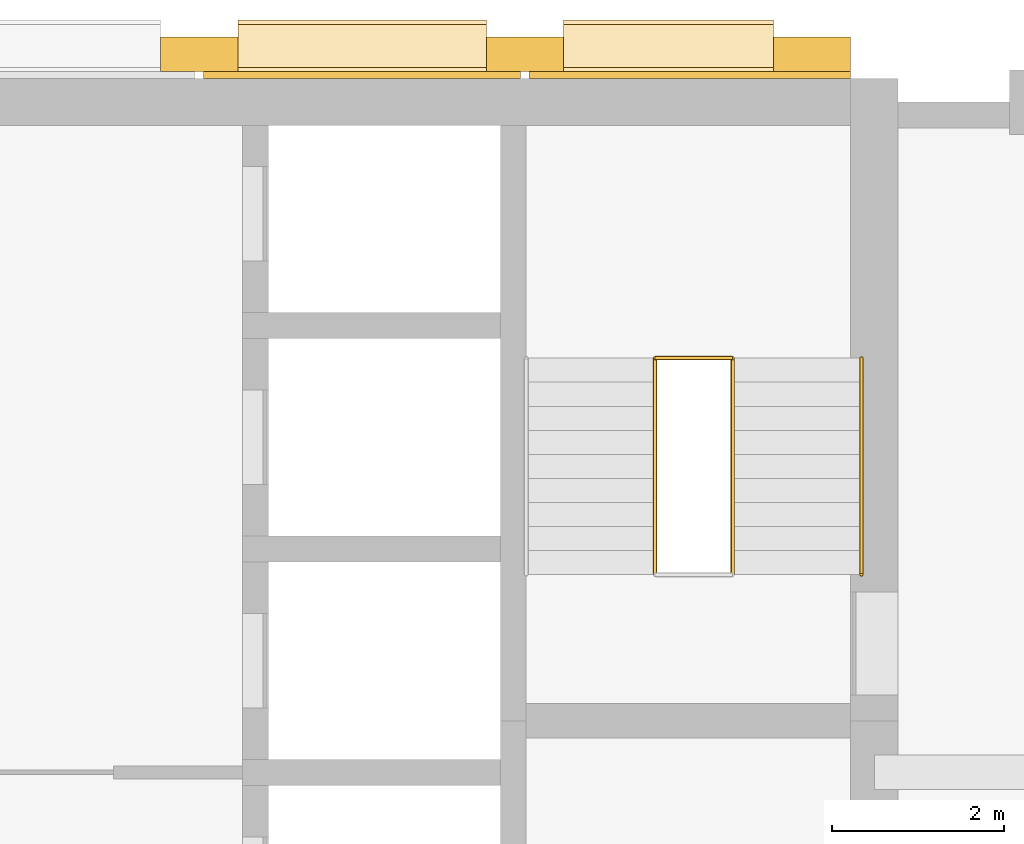
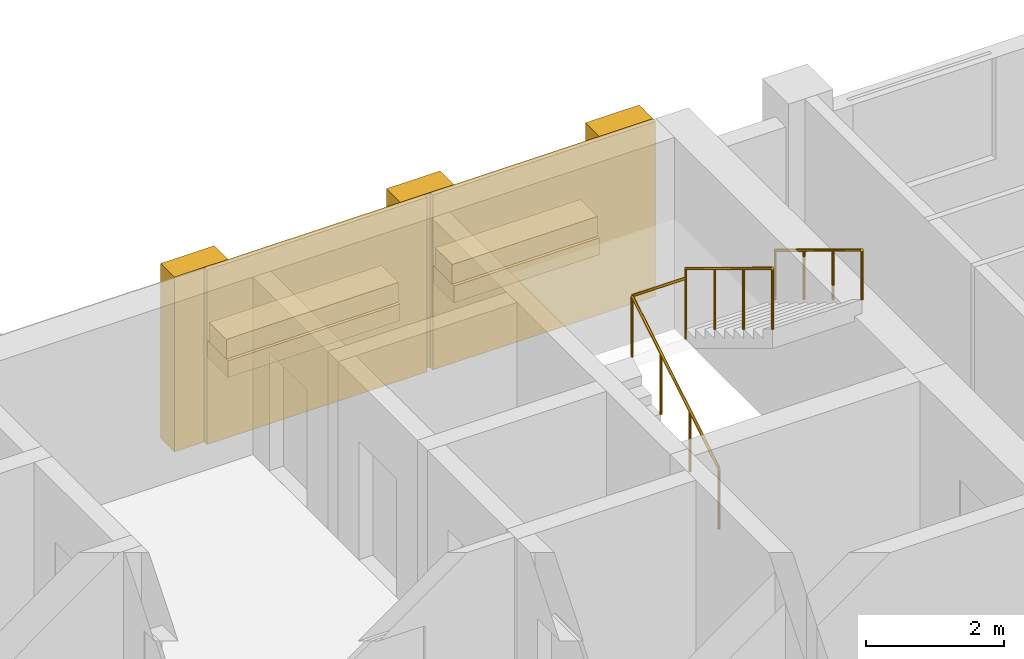
# One storey, part 13 of 13: 9 coverings, 4 railings, 1 element without a shape of its own.
"""IFC4 building model written with IfcOpenShell, lengths in metres."""

from ifc_helpers import new_model, si_unit, direction, frame, origin, origin_2d, place, context, subcontext, project, spatial, rectangle, circle, extrude, material, layer, layer_set, type_object, element, aggregate, save


model = new_model("IFC4")

# Units and contexts
model_context = context("Model", 3, precision=1e-05, world=origin(), true_north=direction((0.0, 1.0)))
body_context = subcontext(model_context, "Body", "Model", "MODEL_VIEW")
ifc_project = project(units=[si_unit("LENGTHUNIT", "METRE"), si_unit("AREAUNIT", "SQUARE_METRE"), si_unit("VOLUMEUNIT", "CUBIC_METRE"), si_unit("PLANEANGLEUNIT", "RADIAN"), si_unit("MASSUNIT", "GRAM", prefix="KILO")], contexts=[model_context])

# Site, building, storey
site_placement = place(None, origin())
site = spatial("IfcSite", under=ifc_project, at=site_placement, CompositionType="ELEMENT")
building_placement = place(site_placement, origin())
building = spatial("IfcBuilding", under=site, at=building_placement, Name="Ludao Terraces", CompositionType="ELEMENT")
storey_placement = place(building_placement, frame((0.0, 0.0, 152.0)))
storey = spatial("IfcBuildingStorey", under=building, at=storey_placement, Name="L41", CompositionType="ELEMENT", Elevation=152.0)

# Coverings
ifc_material_1 = material(Name="Granite cladding", Category="masonry")
ifc_layer_1 = layer(ifc_material_1, 0.39990234375)
ifc_layer_set_1 = layer_set([ifc_layer_1], Name="ENV Core pilaster stone 400")
covering_type_1 = type_object("IfcCoveringType", Name="ENV Core pilaster stone 400", PredefinedType="CLADDING", material=ifc_layer_set_1)
for number, where, z_axis, x_axis, name in (
    (1, (86.89501953125, 85.054931640625, 0.0), (0.0, 0.0, 1.0), (1.0, 0.0, 0.0), "CC-L41-PIL4"),
    (2, (90.68505859375, 85.054931640625, 0.0), (0.0, 0.0, 1.0), (1.0, 0.0, 0.0), "CC-L41-PIL5"),
    (3, (94.02490234375, 85.054931640625, 0.0), (0.0, 0.0, 1.0), (1.0, 0.0, 0.0), "CC-L41-PIL6"),
):
    element("IfcCovering", number, at=place(storey_placement, frame(where, z_axis=z_axis, x_axis=x_axis)), inside=storey, type_object=covering_type_1, Name=name, PredefinedType="CLADDING", context=body_context, shape_type="SweptSolid", body=[
        extrude(rectangle(XDim=0.89990234375, YDim=0.39990234375, at=origin_2d()), origin(), (0.0, 0.0, 1.0), 3.10009765625),
    ])
ifc_layer_2 = layer(ifc_material_1, 0.60009765625)
ifc_layer_set_2 = layer_set([ifc_layer_2], Name="ENV Core planting shelf stone 600")
covering_type_2 = type_object("IfcCoveringType", Name="ENV Core planting shelf stone 600", PredefinedType="CLADDING", material=ifc_layer_set_2)
covering_1_placement = place(storey_placement, frame((88.7900390625, 85.155029296875, 1.0), z_axis=(0.0, 0.0, 1.0), x_axis=(1.0, 0.0, 0.0)))
element("IfcCovering", 4, at=covering_1_placement, inside=storey, type_object=covering_type_2, Name="CC-L41-SHELF4", PredefinedType="CLADDING", context=body_context, shape_type="SweptSolid", body=[
    extrude(rectangle(XDim=2.889892578125, YDim=0.60009765625, at=origin_2d()), origin(), (0.0, 0.0, 1.0), 0.300048828125),
])
covering_2_placement = place(storey_placement, frame((92.35498046875, 85.155029296875, 1.0), z_axis=(0.0, 0.0, 1.0), x_axis=(1.0, 0.0, 0.0)))
element("IfcCovering", 5, at=covering_2_placement, inside=storey, type_object=covering_type_2, Name="CC-L41-SHELF5", PredefinedType="CLADDING", context=body_context, shape_type="SweptSolid", body=[
    extrude(rectangle(XDim=2.43994140625, YDim=0.60009765625, at=origin_2d()), origin(), (0.0, 0.0, 1.0), 0.300048828125),
])
ifc_layer_3 = layer(ifc_material_1, 0.080078125)
ifc_layer_set_3 = layer_set([ifc_layer_3], Name="ENV Core stone cladding panel 80")
covering_type_3 = type_object("IfcCoveringType", Name="ENV Core stone cladding panel 80", PredefinedType="CLADDING", material=ifc_layer_set_3)
covering_3_placement = place(storey_placement, frame((88.7900390625, 84.81494140625, 0.0), z_axis=(0.0, 0.0, 1.0), x_axis=(1.0, 0.0, 0.0)))
element("IfcCovering", 6, at=covering_3_placement, inside=storey, type_object=covering_type_3, Name="CC-L41-CORE4", PredefinedType="CLADDING", context=body_context, shape_type="SweptSolid", body=[
    extrude(rectangle(XDim=3.68994140625, YDim=0.080078125, at=origin_2d()), origin(), (0.0, 0.0, 1.0), 3.10009765625),
])
covering_4_placement = place(storey_placement, frame((92.60498046875, 84.81494140625, 0.0), z_axis=(0.0, 0.0, 1.0), x_axis=(1.0, 0.0, 0.0)))
element("IfcCovering", 7, at=covering_4_placement, inside=storey, type_object=covering_type_3, Name="CC-L41-CORE5", PredefinedType="CLADDING", context=body_context, shape_type="SweptSolid", body=[
    extrude(rectangle(XDim=3.739990234375, YDim=0.080078125, at=origin_2d()), origin(), (0.0, 0.0, 1.0), 3.10009765625),
])
ifc_material_2 = material(Name="Planting")
ifc_layer_4 = layer(ifc_material_2, 0.5)
ifc_layer_set_4 = layer_set([ifc_layer_4], Name="ENV Shelf planting bed 350")
covering_type_4 = type_object("IfcCoveringType", Name="ENV Shelf planting bed 350", PredefinedType="USERDEFINED", material=ifc_layer_set_4)
covering_5_placement = place(storey_placement, frame((88.7900390625, 85.155029296875, 1.300048828125), z_axis=(0.0, 0.0, 1.0), x_axis=(1.0, 0.0, 0.0)))
element("IfcCovering", 8, at=covering_5_placement, inside=storey, type_object=covering_type_4, Name="Shelf planting bed L41 4", ObjectType="PLANTING", PredefinedType="USERDEFINED", context=body_context, shape_type="SweptSolid", body=[
    extrude(rectangle(XDim=2.889892578125, YDim=0.5, at=origin_2d()), origin(), (0.0, 0.0, 1.0), 0.35009765625),
])
covering_6_placement = place(storey_placement, frame((92.35498046875, 85.155029296875, 1.300048828125), z_axis=(0.0, 0.0, 1.0), x_axis=(1.0, 0.0, 0.0)))
element("IfcCovering", 9, at=covering_6_placement, inside=storey, type_object=covering_type_4, Name="Shelf planting bed L41 5", ObjectType="PLANTING", PredefinedType="USERDEFINED", context=body_context, shape_type="SweptSolid", body=[
    extrude(rectangle(XDim=2.43994140625, YDim=0.5, at=origin_2d()), origin(), (0.0, 0.0, 1.0), 0.35009765625),
])

# Stair, railings
ifc_material_3 = material(Name="Concrete C40", Category="concrete")
stair_type = type_object("IfcStairType", Name="INT Stair", PredefinedType="HALF_TURN_STAIR", material=ifc_material_3)
stair_placement = place(storey_placement, origin())
stair = element("IfcStair", 10, at=stair_placement, inside=storey, type_object=stair_type, Name="EXIT STAIR 2", PredefinedType="HALF_TURN_STAIR")
ifc_material_4 = material(Name="Stainless steel 304", Category="steel")
railing_type_1 = type_object("IfcRailingType", Name="INT Stair guard 1100", PredefinedType="GUARDRAIL", material=ifc_material_4)
railing_1_placement = place(storey_placement, frame((92.199951171875, 79.0, 0.169921875)))
railing_1 = element("IfcRailing", 11, at=railing_1_placement, type_object=railing_type_1, Name="ST-L41-S2-R1G", PredefinedType="GUARDRAIL", context=body_context, shape_type="SweptSolid", body=[
    extrude(circle(Radius=0.02392578125, at=origin_2d()), frame((0.0, 0.0, 1.076171875), z_axis=(0.0, 0.85478489116, 0.518982456201), x_axis=(-1.0, 0.0, 0.0)), (0.0, 0.0, 1.0), 2.9482421875),
    extrude(circle(Radius=0.02099609375, at=origin_2d()), origin(), (0.0, 0.0, 1.0), 1.052001953125),
    extrude(circle(Radius=0.02099609375, at=origin_2d()), frame((0.0, 0.840087890625, 0.510009765625)), (0.0, 0.0, 1.0), 1.052001953125),
    extrude(circle(Radius=0.02099609375, at=origin_2d()), frame((0.0, 1.679931640625, 1.02001953125)), (0.0, 0.0, 1.0), 1.052001953125),
    extrude(circle(Radius=0.02099609375, at=origin_2d()), frame((0.0, 2.52001953125, 1.530029296875)), (0.0, 0.0, 1.0), 1.052001953125),
])
railing_2_placement = place(storey_placement, frame((93.10009765625, 81.52001953125, 1.8701171875)))
railing_2 = element("IfcRailing", 12, at=railing_2_placement, type_object=railing_type_1, Name="ST-L41-S2-R2G", PredefinedType="GUARDRAIL", context=body_context, shape_type="SweptSolid", body=[
    extrude(circle(Radius=0.02392578125, at=origin_2d()), frame((0.0, 0.0, 1.076171875), z_axis=(0.0, -0.854821627497, 0.518921945155), x_axis=(1.0, 0.0, 0.0)), (0.0, 0.0, 1.0), 2.947998046875),
    extrude(circle(Radius=0.02099609375, at=origin_2d()), origin(), (0.0, 0.0, 1.0), 1.052001953125),
    extrude(circle(Radius=0.02099609375, at=origin_2d()), frame((0.0, -0.840087890625, 0.510009765625)), (0.0, 0.0, 1.0), 1.052001953125),
    extrude(circle(Radius=0.02099609375, at=origin_2d()), frame((0.0, -1.679931640625, 1.019775390625)), (0.0, 0.0, 1.0), 1.052001953125),
    extrude(circle(Radius=0.02099609375, at=origin_2d()), frame((0.0, -2.52001953125, 1.52978515625)), (0.0, 0.0, 1.0), 1.052001953125),
])
railing_3_placement = place(storey_placement, frame((92.199951171875, 81.52001953125, 1.699951171875)))
railing_3 = element("IfcRailing", 13, at=railing_3_placement, type_object=railing_type_1, Name="ST-L41-S2-E1G", PredefinedType="GUARDRAIL", context=body_context, shape_type="SweptSolid", body=[
    extrude(circle(Radius=0.02392578125, at=origin_2d()), frame((0.0, 0.0, 1.076171875), z_axis=(1.0, 0.0, 0.0), x_axis=(0.0, 1.0, 0.0)), (0.0, 0.0, 1.0), 0.900146484375),
    extrude(circle(Radius=0.02099609375, at=origin_2d()), origin(), (0.0, 0.0, 1.0), 1.052001953125),
    extrude(circle(Radius=0.02099609375, at=origin_2d()), frame((0.900146484375, 0.0, 0.0)), (0.0, 0.0, 1.0), 1.052001953125),
])
railing_type_2 = type_object("IfcRailingType", Name="INT Stair handrail 900", PredefinedType="HANDRAIL", material=ifc_material_4)
railing_4_placement = place(storey_placement, frame((94.60009765625, 81.52001953125, 1.8701171875)))
railing_4 = element("IfcRailing", 14, at=railing_4_placement, type_object=railing_type_2, Name="ST-L41-S2-R2H", PredefinedType="HANDRAIL", context=body_context, shape_type="SweptSolid", body=[
    extrude(circle(Radius=0.02392578125, at=origin_2d()), frame((0.0, 0.0, 0.8759765625), z_axis=(0.0, -0.854821627497, 0.518921945155), x_axis=(1.0, 0.0, 0.0)), (0.0, 0.0, 1.0), 2.947998046875),
    extrude(circle(Radius=0.02099609375, at=origin_2d()), origin(), (0.0, 0.0, 1.0), 0.851806640625),
    extrude(circle(Radius=0.02099609375, at=origin_2d()), frame((0.0, -0.840087890625, 0.510009765625)), (0.0, 0.0, 1.0), 0.851806640625),
    extrude(circle(Radius=0.02099609375, at=origin_2d()), frame((0.0, -1.679931640625, 1.019775390625)), (0.0, 0.0, 1.0), 0.851806640625),
    extrude(circle(Radius=0.02099609375, at=origin_2d()), frame((0.0, -2.52001953125, 1.52978515625)), (0.0, 0.0, 1.0), 0.851806640625),
])
aggregate(stair, [railing_1, railing_2, railing_4, railing_3])

save(model, "model.ifc")
